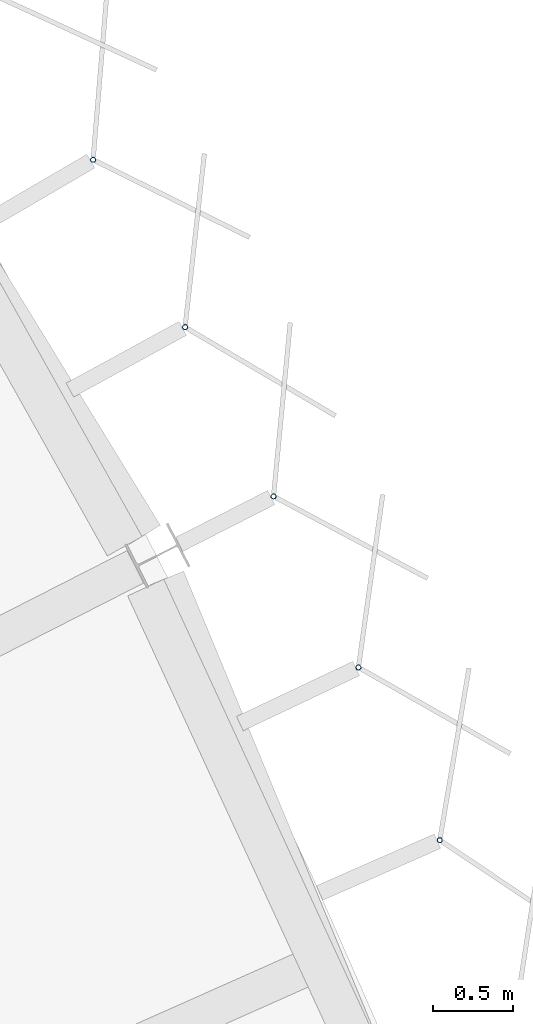
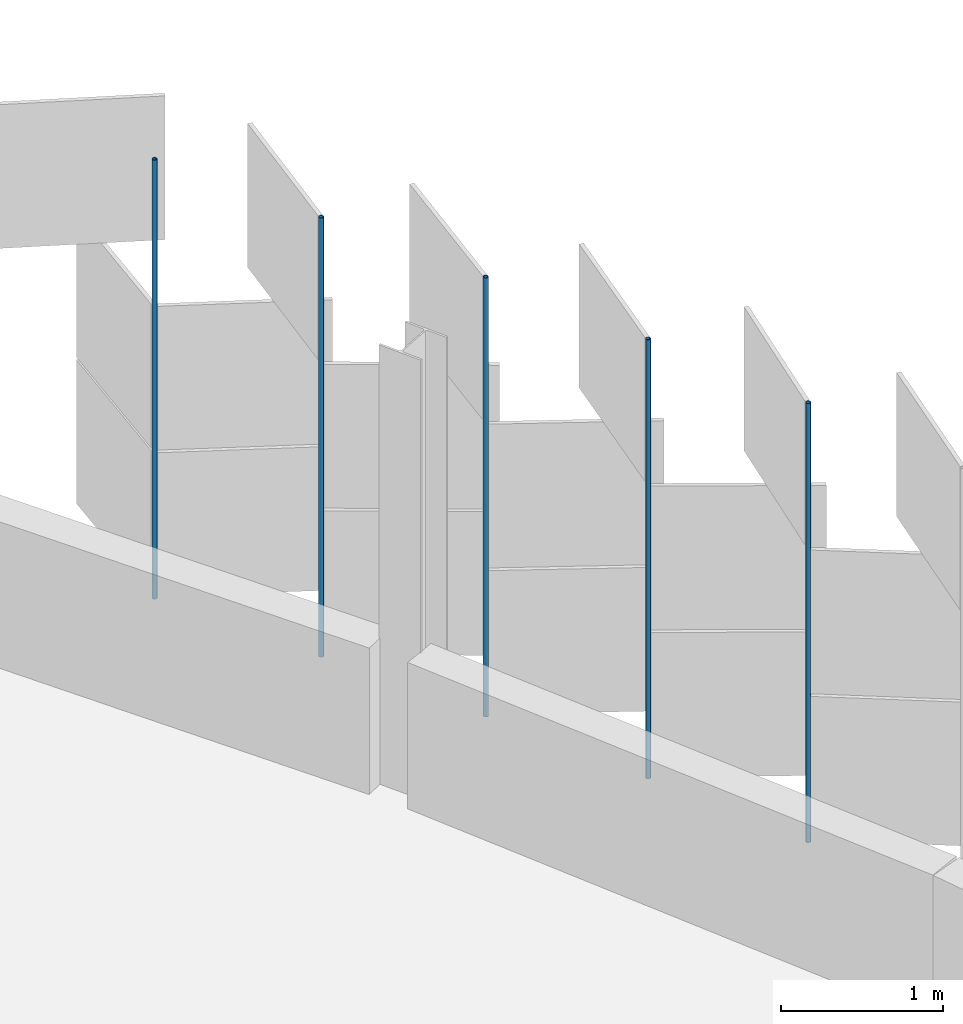
# One storey, part 123 of 198: 5 discrete accessories.
"""IFC4 building model written with IfcOpenShell, lengths in metres."""

from ifc_helpers import new_model, si_unit, direction, frame, origin, origin_2d, place, context, subcontext, project, spatial, hollow_circle, extrude, material, material_profile, profile_set, type_object, element, save


model = new_model("IFC4")

# Units and contexts
model_context = context("Model", 3, precision=1e-05, world=origin(), true_north=direction((0.0, 1.0)))
body_context = subcontext(model_context, "Body", "Model", "MODEL_VIEW")
ifc_project = project(units=[si_unit("LENGTHUNIT", "METRE"), si_unit("AREAUNIT", "SQUARE_METRE"), si_unit("VOLUMEUNIT", "CUBIC_METRE"), si_unit("PLANEANGLEUNIT", "RADIAN"), si_unit("MASSUNIT", "GRAM", prefix="KILO")], contexts=[model_context])

# Site, building, storey
site_placement = place(None, origin())
site = spatial("IfcSite", under=ifc_project, at=site_placement, CompositionType="ELEMENT")
building_placement = place(site_placement, origin())
building = spatial("IfcBuilding", under=site, at=building_placement, Name="Parallax Yard Mobility Hub", CompositionType="ELEMENT")
storey_placement = place(building_placement, frame((0.0, 0.0, 6.60009765625)))
storey = spatial("IfcBuildingStorey", under=building, at=storey_placement, Name="L02", CompositionType="ELEMENT", Elevation=6.60009765625)

# Discrete accessories
ifc_material = material(Name="Steel ASTM A500 Gr C, hot-dip galvanised", Category="steel")
ifc_material_profile = material_profile(ifc_material, hollow_circle(Radius=0.016845703125, WallThickness=0.003173828125, at=origin_2d()), Name="CHS 33.7x3.2")
ifc_profile_set = profile_set([ifc_material_profile], Name="Steel ASTM A500 Gr C, hot-dip galvanised")
discrete_accessory_type = type_object("IfcDiscreteAccessoryType", Name="Hinge post CHS 33.7x3.2", PredefinedType="BRACKET", material=ifc_profile_set)
for number, where, z_axis, x_axis, name in (
    (1, (221.051513671875, 112.04638671875, 0.0), (0.0, 0.0, 1.0), (1.0, 0.0, 0.0), "Hinge post bay 43.6 level L02"),
    (2, (220.54052734375, 113.131591796875, 0.0), (0.0, 0.0, 1.0), (1.0, 0.0, 0.0), "Hinge post bay 43.7 level L02"),
    (3, (220.007080078125, 114.2060546875, 0.0), (0.0, 0.0, 1.0), (1.0, 0.0, 0.0), "Hinge post bay 44.1 level L02"),
    (4, (219.451416015625, 115.269287109375, 0.0), (0.0, 0.0, 1.0), (1.0, 0.0, 0.0), "Hinge post bay 44.2 level L02"),
    (5, (218.87353515625, 116.320556640625, 0.0), (0.0, 0.0, 1.0), (1.0, 0.0, 0.0), "Hinge post bay 44.3 level L02"),
):
    element("IfcDiscreteAccessory", number, at=place(storey_placement, frame(where, z_axis=z_axis, x_axis=x_axis)), inside=storey, type_object=discrete_accessory_type, Name=name, PredefinedType="BRACKET", context=body_context, shape_type="SweptSolid", body=[
        extrude(hollow_circle(Radius=0.016845703125, WallThickness=0.003173828125, at=origin_2d()), origin(), (0.0, 0.0, 1.0), 3.2998046875),
    ])

save(model, "model.ifc")
